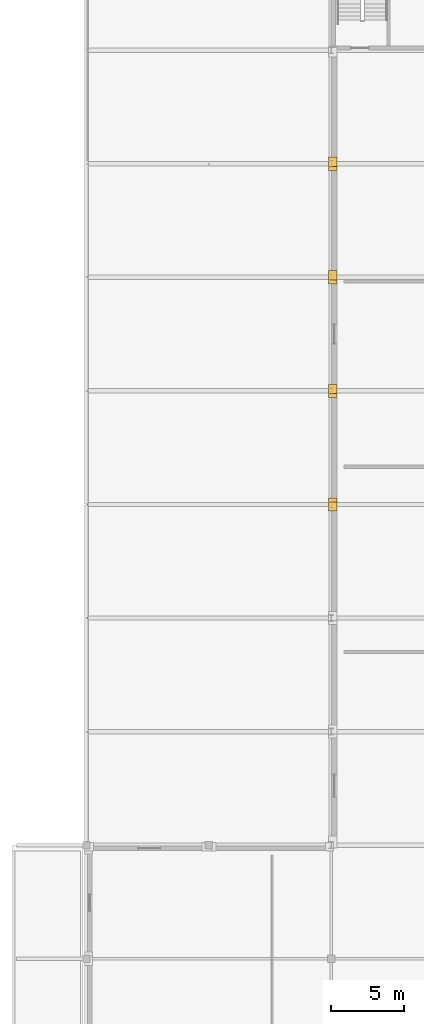
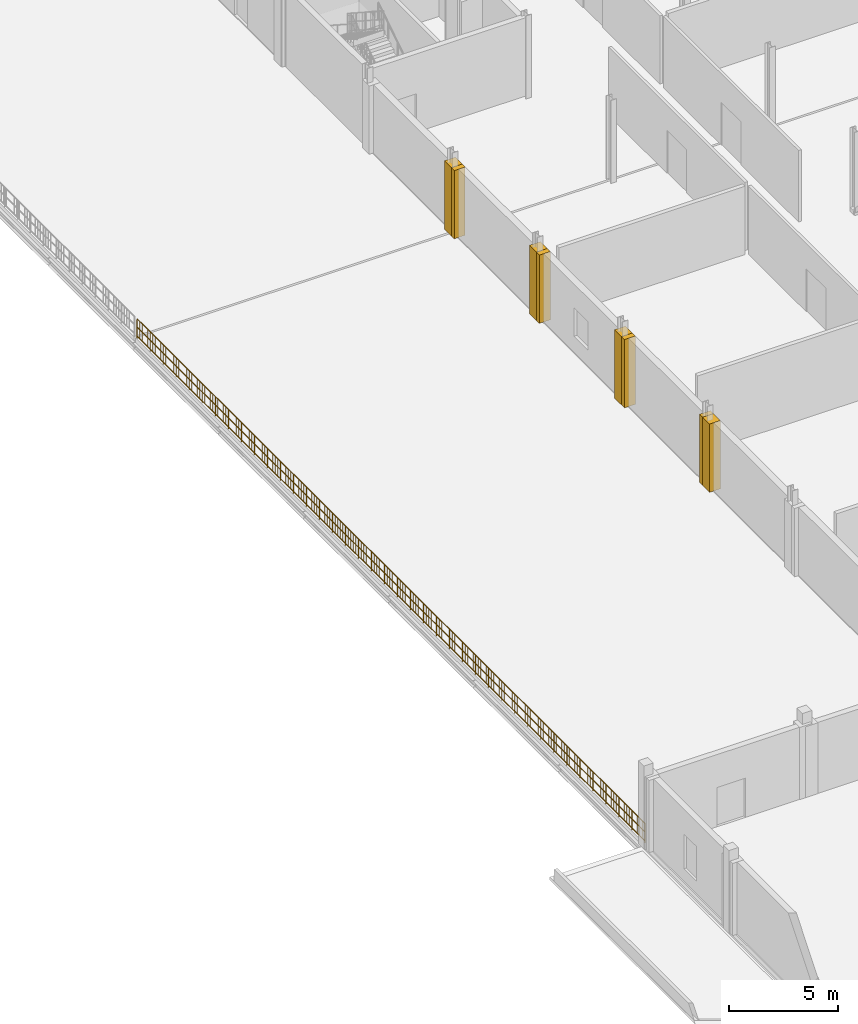
# One storey, part 91 of 98: 8 coverings, 1 railing.
"""IFC4 building model written with IfcOpenShell, lengths in metres."""

from ifc_helpers import new_model, si_unit, direction, frame, origin, origin_2d, place, context, subcontext, project, spatial, polyline, circle, outline, extrude, material, layer, layer_set, type_object, element, save


model = new_model("IFC4")

# Units and contexts
model_context = context("Model", 3, precision=1e-05, world=origin(), true_north=direction((0.0, 1.0)))
body_context = subcontext(model_context, "Body", "Model", "MODEL_VIEW")
ifc_project = project(units=[si_unit("LENGTHUNIT", "METRE"), si_unit("AREAUNIT", "SQUARE_METRE"), si_unit("VOLUMEUNIT", "CUBIC_METRE"), si_unit("PLANEANGLEUNIT", "RADIAN"), si_unit("MASSUNIT", "GRAM", prefix="KILO")], contexts=[model_context])

# Site, building, storey
site_placement = place(None, origin())
site = spatial("IfcSite", under=ifc_project, at=site_placement, CompositionType="ELEMENT")
building_placement = place(site_placement, origin())
building = spatial("IfcBuilding", under=site, at=building_placement, Name="Nabrawat Pavilion Hospital", CompositionType="ELEMENT")
storey_placement = place(building_placement, frame((0.0, 0.0, 10.199951171875)))
storey = spatial("IfcBuildingStorey", under=building, at=storey_placement, Name="L02", CompositionType="ELEMENT", Elevation=10.199951171875)

# Coverings
ifc_material_1 = material(Name="Precast concrete C40/50", Category="concrete")
ifc_layer_1 = layer(ifc_material_1, 0.360107421875, Name="Precast concrete C40/50")
ifc_layer_set_1 = layer_set([ifc_layer_1], Name="Precast concrete C40/50")
covering_type = type_object("IfcCoveringType", Name="Architectural Precast Column-Jamb Closure Reveal", PredefinedType="CLADDING", material=ifc_layer_set_1)
covering_1_placement = place(storey_placement, origin())
element("IfcCovering", 1, at=covering_1_placement, inside=storey, type_object=covering_type, Name="L02 Precast Facade Column-Jamb Weatherseal Closure 0330", PredefinedType="CLADDING", context=body_context, shape_type="SweptSolid", body=[
    extrude(outline(polyline([(17.199951171875, 61.945068359375), (17.199951171875, 62.580078125), (16.6201171875, 62.580078125), (16.6201171875, 61.945068359375), (17.199951171875, 61.945068359375)])), origin(), (0.0, 0.0, 1.0), 3.820068359375),
])
covering_2_placement = place(storey_placement, origin())
element("IfcCovering", 2, at=covering_2_placement, inside=storey, type_object=covering_type, Name="L02 Precast Facade Column-Jamb Weatherseal Closure 0331", PredefinedType="CLADDING", context=body_context, shape_type="SweptSolid", body=[
    extrude(outline(polyline([(17.199951171875, 62.219970703125), (17.199951171875, 62.85498046875), (16.6201171875, 62.85498046875), (16.6201171875, 62.219970703125), (17.199951171875, 62.219970703125)])), origin(), (0.0, 0.0, 1.0), 3.820068359375),
])
covering_3_placement = place(storey_placement, origin())
element("IfcCovering", 3, at=covering_3_placement, inside=storey, type_object=covering_type, Name="L02 Precast Facade Column-Jamb Weatherseal Closure 0332", PredefinedType="CLADDING", context=body_context, shape_type="SweptSolid", body=[
    extrude(outline(polyline([(17.199951171875, 69.7451171875), (17.199951171875, 70.3798828125), (16.6201171875, 70.3798828125), (16.6201171875, 69.7451171875), (17.199951171875, 69.7451171875)])), origin(), (0.0, 0.0, 1.0), 3.820068359375),
])
covering_4_placement = place(storey_placement, origin())
element("IfcCovering", 4, at=covering_4_placement, inside=storey, type_object=covering_type, Name="L02 Precast Facade Column-Jamb Weatherseal Closure 0333", PredefinedType="CLADDING", context=body_context, shape_type="SweptSolid", body=[
    extrude(outline(polyline([(17.199951171875, 70.02001953125), (17.199951171875, 70.655029296875), (16.6201171875, 70.655029296875), (16.6201171875, 70.02001953125), (17.199951171875, 70.02001953125)])), origin(), (0.0, 0.0, 1.0), 3.820068359375),
])
covering_5_placement = place(storey_placement, origin())
element("IfcCovering", 5, at=covering_5_placement, inside=storey, type_object=covering_type, Name="L02 Precast Facade Column-Jamb Weatherseal Closure 0334", PredefinedType="CLADDING", context=body_context, shape_type="SweptSolid", body=[
    extrude(outline(polyline([(17.199951171875, 77.544921875), (17.199951171875, 78.179931640625), (16.6201171875, 78.179931640625), (16.6201171875, 77.544921875), (17.199951171875, 77.544921875)])), origin(), (0.0, 0.0, 1.0), 3.820068359375),
])
covering_6_placement = place(storey_placement, origin())
element("IfcCovering", 6, at=covering_6_placement, inside=storey, type_object=covering_type, Name="L02 Precast Facade Column-Jamb Weatherseal Closure 0335", PredefinedType="CLADDING", context=body_context, shape_type="SweptSolid", body=[
    extrude(outline(polyline([(17.199951171875, 77.820068359375), (17.199951171875, 78.455078125), (16.6201171875, 78.455078125), (16.6201171875, 77.820068359375), (17.199951171875, 77.820068359375)])), origin(), (0.0, 0.0, 1.0), 3.820068359375),
])
covering_7_placement = place(storey_placement, origin())
element("IfcCovering", 7, at=covering_7_placement, inside=storey, type_object=covering_type, Name="L02 Precast Facade Column-Jamb Weatherseal Closure 0336", PredefinedType="CLADDING", context=body_context, shape_type="SweptSolid", body=[
    extrude(outline(polyline([(17.199951171875, 85.344970703125), (17.199951171875, 85.97998046875), (16.6201171875, 85.97998046875), (16.6201171875, 85.344970703125), (17.199951171875, 85.344970703125)])), origin(), (0.0, 0.0, 1.0), 3.820068359375),
])
covering_8_placement = place(storey_placement, origin())
element("IfcCovering", 8, at=covering_8_placement, inside=storey, type_object=covering_type, Name="L02 Precast Facade Column-Jamb Weatherseal Closure 0337", PredefinedType="CLADDING", context=body_context, shape_type="SweptSolid", body=[
    extrude(outline(polyline([(17.199951171875, 85.6201171875), (17.199951171875, 86.2548828125), (16.6201171875, 86.2548828125), (16.6201171875, 85.6201171875), (17.199951171875, 85.6201171875)])), origin(), (0.0, 0.0, 1.0), 3.820068359375),
])

# Railing
ifc_material_2 = material(Name="Stainless Steel 316", Category="steel")
ifc_layer_2 = layer(ifc_material_2, 0.070068359375, Name="Stainless Steel 316")
ifc_layer_set_2 = layer_set([ifc_layer_2], Name="Stainless Steel 316")
railing_type = type_object("IfcRailingType", Name="Exterior Clinical Terrace Safety Guardrail 1100", PredefinedType="GUARDRAIL", material=ifc_layer_set_2)
railing_placement = place(storey_placement, frame((0.06005859375, 39.179931640625, 0.0)))
element("IfcRailing", 9, at=railing_placement, inside=storey, type_object=railing_type, Name="L02 Terrace Edge Safety Guardrail T_L02_SURG_WEST_S West", PredefinedType="GUARDRAIL", context=body_context, shape_type="SweptSolid", body=[
    extrude(circle(Radius=0.02392578125, at=origin_2d()), frame((0.0, 0.0, 1.076171875), z_axis=(0.0, 1.0, 0.0), x_axis=(-1.0, 0.0, 0.0)), (0.0, 0.0, 1.0), 46.56005859375),
    extrude(circle(Radius=0.02392578125, at=origin_2d()), frame((0.0, 0.0, 0.10009765625), z_axis=(0.0, 1.0, 0.0), x_axis=(-1.0, 0.0, 0.0)), (0.0, 0.0, 1.0), 46.56005859375),
    extrude(circle(Radius=0.02392578125, at=origin_2d()), frame((0.0, 0.0, 0.60498046875), z_axis=(0.0, 1.0, 0.0), x_axis=(-1.0, 0.0, 0.0)), (0.0, 0.0, 1.0), 46.56005859375),
    extrude(circle(Radius=0.008056640625, at=origin_2d()), frame((0.0, 0.23876953125, 0.10009765625)), (0.0, 0.0, 1.0), 0.951904296875),
    extrude(circle(Radius=0.008056640625, at=origin_2d()), frame((0.0, 0.4775390625, 0.10009765625)), (0.0, 0.0, 1.0), 0.951904296875),
    extrude(circle(Radius=0.008056640625, at=origin_2d()), frame((0.0, 0.71630859375, 0.10009765625)), (0.0, 0.0, 1.0), 0.951904296875),
    extrude(circle(Radius=0.008056640625, at=origin_2d()), frame((0.0, 0.955078125, 0.10009765625)), (0.0, 0.0, 1.0), 0.951904296875),
    extrude(circle(Radius=0.008056640625, at=origin_2d()), frame((0.0, 1.4326171875, 0.10009765625)), (0.0, 0.0, 1.0), 0.951904296875),
    extrude(circle(Radius=0.008056640625, at=origin_2d()), frame((0.0, 1.67138671875, 0.10009765625)), (0.0, 0.0, 1.0), 0.951904296875),
    extrude(circle(Radius=0.008056640625, at=origin_2d()), frame((0.0, 1.91015625, 0.10009765625)), (0.0, 0.0, 1.0), 0.951904296875),
    extrude(circle(Radius=0.008056640625, at=origin_2d()), frame((0.0, 2.14892578125, 0.10009765625)), (0.0, 0.0, 1.0), 0.951904296875),
    extrude(circle(Radius=0.008056640625, at=origin_2d()), frame((0.0, 2.62646484375, 0.10009765625)), (0.0, 0.0, 1.0), 0.951904296875),
    extrude(circle(Radius=0.008056640625, at=origin_2d()), frame((0.0, 2.865234375, 0.10009765625)), (0.0, 0.0, 1.0), 0.951904296875),
    extrude(circle(Radius=0.008056640625, at=origin_2d()), frame((0.0, 3.10400390625, 0.10009765625)), (0.0, 0.0, 1.0), 0.951904296875),
    extrude(circle(Radius=0.008056640625, at=origin_2d()), frame((0.0, 3.3427734375, 0.10009765625)), (0.0, 0.0, 1.0), 0.951904296875),
    extrude(circle(Radius=0.008056640625, at=origin_2d()), frame((0.0, 3.8203125, 0.10009765625)), (0.0, 0.0, 1.0), 0.951904296875),
    extrude(circle(Radius=0.008056640625, at=origin_2d()), frame((0.0, 4.05908203125, 0.10009765625)), (0.0, 0.0, 1.0), 0.951904296875),
    extrude(circle(Radius=0.008056640625, at=origin_2d()), frame((0.0, 4.2978515625, 0.10009765625)), (0.0, 0.0, 1.0), 0.951904296875),
    extrude(circle(Radius=0.008056640625, at=origin_2d()), frame((0.0, 4.53662109375, 0.10009765625)), (0.0, 0.0, 1.0), 0.951904296875),
    extrude(circle(Radius=0.008056640625, at=origin_2d()), frame((0.0, 5.01416015625, 0.10009765625)), (0.0, 0.0, 1.0), 0.951904296875),
    extrude(circle(Radius=0.008056640625, at=origin_2d()), frame((0.0, 5.2529296875, 0.10009765625)), (0.0, 0.0, 1.0), 0.951904296875),
    extrude(circle(Radius=0.008056640625, at=origin_2d()), frame((0.0, 5.49169921875, 0.10009765625)), (0.0, 0.0, 1.0), 0.951904296875),
    extrude(circle(Radius=0.008056640625, at=origin_2d()), frame((0.0, 5.73046875, 0.10009765625)), (0.0, 0.0, 1.0), 0.951904296875),
    extrude(circle(Radius=0.008056640625, at=origin_2d()), frame((0.0, 6.2080078125, 0.10009765625)), (0.0, 0.0, 1.0), 0.951904296875),
    extrude(circle(Radius=0.008056640625, at=origin_2d()), frame((0.0, 6.44677734375, 0.10009765625)), (0.0, 0.0, 1.0), 0.951904296875),
    extrude(circle(Radius=0.008056640625, at=origin_2d()), frame((0.0, 6.685546875, 0.10009765625)), (0.0, 0.0, 1.0), 0.951904296875),
    extrude(circle(Radius=0.008056640625, at=origin_2d()), frame((0.0, 6.92431640625, 0.10009765625)), (0.0, 0.0, 1.0), 0.951904296875),
    extrude(circle(Radius=0.008056640625, at=origin_2d()), frame((0.0, 7.40185546875, 0.10009765625)), (0.0, 0.0, 1.0), 0.951904296875),
    extrude(circle(Radius=0.008056640625, at=origin_2d()), frame((0.0, 7.640625, 0.10009765625)), (0.0, 0.0, 1.0), 0.951904296875),
    extrude(circle(Radius=0.008056640625, at=origin_2d()), frame((0.0, 7.87939453125, 0.10009765625)), (0.0, 0.0, 1.0), 0.951904296875),
    extrude(circle(Radius=0.008056640625, at=origin_2d()), frame((0.0, 8.1181640625, 0.10009765625)), (0.0, 0.0, 1.0), 0.951904296875),
    extrude(circle(Radius=0.008056640625, at=origin_2d()), frame((0.0, 8.595703125, 0.10009765625)), (0.0, 0.0, 1.0), 0.951904296875),
    extrude(circle(Radius=0.008056640625, at=origin_2d()), frame((0.0, 8.83447265625, 0.10009765625)), (0.0, 0.0, 1.0), 0.951904296875),
    extrude(circle(Radius=0.008056640625, at=origin_2d()), frame((0.0, 9.0732421875, 0.10009765625)), (0.0, 0.0, 1.0), 0.951904296875),
    extrude(circle(Radius=0.008056640625, at=origin_2d()), frame((0.0, 9.31201171875, 0.10009765625)), (0.0, 0.0, 1.0), 0.951904296875),
    extrude(circle(Radius=0.008056640625, at=origin_2d()), frame((0.0, 9.78955078125, 0.10009765625)), (0.0, 0.0, 1.0), 0.951904296875),
    extrude(circle(Radius=0.008056640625, at=origin_2d()), frame((0.0, 10.0283203125, 0.10009765625)), (0.0, 0.0, 1.0), 0.951904296875),
    extrude(circle(Radius=0.008056640625, at=origin_2d()), frame((0.0, 10.26708984375, 0.10009765625)), (0.0, 0.0, 1.0), 0.951904296875),
    extrude(circle(Radius=0.008056640625, at=origin_2d()), frame((0.0, 10.505859375, 0.10009765625)), (0.0, 0.0, 1.0), 0.951904296875),
    extrude(circle(Radius=0.008056640625, at=origin_2d()), frame((0.0, 10.9833984375, 0.10009765625)), (0.0, 0.0, 1.0), 0.951904296875),
    extrude(circle(Radius=0.008056640625, at=origin_2d()), frame((0.0, 11.22216796875, 0.10009765625)), (0.0, 0.0, 1.0), 0.951904296875),
    extrude(circle(Radius=0.008056640625, at=origin_2d()), frame((0.0, 11.4609375, 0.10009765625)), (0.0, 0.0, 1.0), 0.951904296875),
    extrude(circle(Radius=0.008056640625, at=origin_2d()), frame((0.0, 11.69970703125, 0.10009765625)), (0.0, 0.0, 1.0), 0.951904296875),
    extrude(circle(Radius=0.008056640625, at=origin_2d()), frame((0.0, 12.17724609375, 0.10009765625)), (0.0, 0.0, 1.0), 0.951904296875),
    extrude(circle(Radius=0.008056640625, at=origin_2d()), frame((0.0, 12.416015625, 0.10009765625)), (0.0, 0.0, 1.0), 0.951904296875),
    extrude(circle(Radius=0.008056640625, at=origin_2d()), frame((0.0, 12.65478515625, 0.10009765625)), (0.0, 0.0, 1.0), 0.951904296875),
    extrude(circle(Radius=0.008056640625, at=origin_2d()), frame((0.0, 12.8935546875, 0.10009765625)), (0.0, 0.0, 1.0), 0.951904296875),
    extrude(circle(Radius=0.008056640625, at=origin_2d()), frame((0.0, 13.37109375, 0.10009765625)), (0.0, 0.0, 1.0), 0.951904296875),
    extrude(circle(Radius=0.008056640625, at=origin_2d()), frame((0.0, 13.60986328125, 0.10009765625)), (0.0, 0.0, 1.0), 0.951904296875),
    extrude(circle(Radius=0.008056640625, at=origin_2d()), frame((0.0, 13.8486328125, 0.10009765625)), (0.0, 0.0, 1.0), 0.951904296875),
    extrude(circle(Radius=0.008056640625, at=origin_2d()), frame((0.0, 14.08740234375, 0.10009765625)), (0.0, 0.0, 1.0), 0.951904296875),
    extrude(circle(Radius=0.008056640625, at=origin_2d()), frame((0.0, 14.56494140625, 0.10009765625)), (0.0, 0.0, 1.0), 0.951904296875),
    extrude(circle(Radius=0.008056640625, at=origin_2d()), frame((0.0, 14.8037109375, 0.10009765625)), (0.0, 0.0, 1.0), 0.951904296875),
    extrude(circle(Radius=0.008056640625, at=origin_2d()), frame((0.0, 15.04248046875, 0.10009765625)), (0.0, 0.0, 1.0), 0.951904296875),
    extrude(circle(Radius=0.008056640625, at=origin_2d()), frame((0.0, 15.28125, 0.10009765625)), (0.0, 0.0, 1.0), 0.951904296875),
    extrude(circle(Radius=0.008056640625, at=origin_2d()), frame((0.0, 15.7587890625, 0.10009765625)), (0.0, 0.0, 1.0), 0.951904296875),
    extrude(circle(Radius=0.008056640625, at=origin_2d()), frame((0.0, 15.99755859375, 0.10009765625)), (0.0, 0.0, 1.0), 0.951904296875),
    extrude(circle(Radius=0.008056640625, at=origin_2d()), frame((0.0, 16.236328125, 0.10009765625)), (0.0, 0.0, 1.0), 0.951904296875),
    extrude(circle(Radius=0.008056640625, at=origin_2d()), frame((0.0, 16.47509765625, 0.10009765625)), (0.0, 0.0, 1.0), 0.951904296875),
    extrude(circle(Radius=0.008056640625, at=origin_2d()), frame((0.0, 16.95263671875, 0.10009765625)), (0.0, 0.0, 1.0), 0.951904296875),
    extrude(circle(Radius=0.008056640625, at=origin_2d()), frame((0.0, 17.19140625, 0.10009765625)), (0.0, 0.0, 1.0), 0.951904296875),
    extrude(circle(Radius=0.008056640625, at=origin_2d()), frame((0.0, 17.43017578125, 0.10009765625)), (0.0, 0.0, 1.0), 0.951904296875),
    extrude(circle(Radius=0.008056640625, at=origin_2d()), frame((0.0, 17.6689453125, 0.10009765625)), (0.0, 0.0, 1.0), 0.951904296875),
    extrude(circle(Radius=0.008056640625, at=origin_2d()), frame((0.0, 18.146484375, 0.10009765625)), (0.0, 0.0, 1.0), 0.951904296875),
    extrude(circle(Radius=0.008056640625, at=origin_2d()), frame((0.0, 18.38525390625, 0.10009765625)), (0.0, 0.0, 1.0), 0.951904296875),
    extrude(circle(Radius=0.008056640625, at=origin_2d()), frame((0.0, 18.6240234375, 0.10009765625)), (0.0, 0.0, 1.0), 0.951904296875),
    extrude(circle(Radius=0.008056640625, at=origin_2d()), frame((0.0, 18.86279296875, 0.10009765625)), (0.0, 0.0, 1.0), 0.951904296875),
    extrude(circle(Radius=0.008056640625, at=origin_2d()), frame((0.0, 19.34033203125, 0.10009765625)), (0.0, 0.0, 1.0), 0.951904296875),
    extrude(circle(Radius=0.008056640625, at=origin_2d()), frame((0.0, 19.5791015625, 0.10009765625)), (0.0, 0.0, 1.0), 0.951904296875),
    extrude(circle(Radius=0.008056640625, at=origin_2d()), frame((0.0, 19.81787109375, 0.10009765625)), (0.0, 0.0, 1.0), 0.951904296875),
    extrude(circle(Radius=0.008056640625, at=origin_2d()), frame((0.0, 20.056640625, 0.10009765625)), (0.0, 0.0, 1.0), 0.951904296875),
    extrude(circle(Radius=0.008056640625, at=origin_2d()), frame((0.0, 20.5341796875, 0.10009765625)), (0.0, 0.0, 1.0), 0.951904296875),
    extrude(circle(Radius=0.008056640625, at=origin_2d()), frame((0.0, 20.77294921875, 0.10009765625)), (0.0, 0.0, 1.0), 0.951904296875),
    extrude(circle(Radius=0.008056640625, at=origin_2d()), frame((0.0, 21.01171875, 0.10009765625)), (0.0, 0.0, 1.0), 0.951904296875),
    extrude(circle(Radius=0.008056640625, at=origin_2d()), frame((0.0, 21.25048828125, 0.10009765625)), (0.0, 0.0, 1.0), 0.951904296875),
    extrude(circle(Radius=0.008056640625, at=origin_2d()), frame((0.0, 21.72802734375, 0.10009765625)), (0.0, 0.0, 1.0), 0.951904296875),
    extrude(circle(Radius=0.008056640625, at=origin_2d()), frame((0.0, 21.966796875, 0.10009765625)), (0.0, 0.0, 1.0), 0.951904296875),
    extrude(circle(Radius=0.008056640625, at=origin_2d()), frame((0.0, 22.20556640625, 0.10009765625)), (0.0, 0.0, 1.0), 0.951904296875),
    extrude(circle(Radius=0.008056640625, at=origin_2d()), frame((0.0, 22.4443359375, 0.10009765625)), (0.0, 0.0, 1.0), 0.951904296875),
    extrude(circle(Radius=0.008056640625, at=origin_2d()), frame((0.0, 22.921875, 0.10009765625)), (0.0, 0.0, 1.0), 0.951904296875),
    extrude(circle(Radius=0.008056640625, at=origin_2d()), frame((0.0, 23.16064453125, 0.10009765625)), (0.0, 0.0, 1.0), 0.951904296875),
    extrude(circle(Radius=0.008056640625, at=origin_2d()), frame((0.0, 23.3994140625, 0.10009765625)), (0.0, 0.0, 1.0), 0.951904296875),
    extrude(circle(Radius=0.008056640625, at=origin_2d()), frame((0.0, 23.63818359375, 0.10009765625)), (0.0, 0.0, 1.0), 0.951904296875),
    extrude(circle(Radius=0.008056640625, at=origin_2d()), frame((0.0, 24.11572265625, 0.10009765625)), (0.0, 0.0, 1.0), 0.951904296875),
    extrude(circle(Radius=0.008056640625, at=origin_2d()), frame((0.0, 24.3544921875, 0.10009765625)), (0.0, 0.0, 1.0), 0.951904296875),
    extrude(circle(Radius=0.008056640625, at=origin_2d()), frame((0.0, 24.59326171875, 0.10009765625)), (0.0, 0.0, 1.0), 0.951904296875),
    extrude(circle(Radius=0.008056640625, at=origin_2d()), frame((0.0, 24.83203125, 0.10009765625)), (0.0, 0.0, 1.0), 0.951904296875),
    extrude(circle(Radius=0.008056640625, at=origin_2d()), frame((0.0, 25.3095703125, 0.10009765625)), (0.0, 0.0, 1.0), 0.951904296875),
    extrude(circle(Radius=0.008056640625, at=origin_2d()), frame((0.0, 25.54833984375, 0.10009765625)), (0.0, 0.0, 1.0), 0.951904296875),
    extrude(circle(Radius=0.008056640625, at=origin_2d()), frame((0.0, 25.787109375, 0.10009765625)), (0.0, 0.0, 1.0), 0.951904296875),
    extrude(circle(Radius=0.008056640625, at=origin_2d()), frame((0.0, 26.02587890625, 0.10009765625)), (0.0, 0.0, 1.0), 0.951904296875),
    extrude(circle(Radius=0.008056640625, at=origin_2d()), frame((0.0, 26.50341796875, 0.10009765625)), (0.0, 0.0, 1.0), 0.951904296875),
    extrude(circle(Radius=0.008056640625, at=origin_2d()), frame((0.0, 26.7421875, 0.10009765625)), (0.0, 0.0, 1.0), 0.951904296875),
    extrude(circle(Radius=0.008056640625, at=origin_2d()), frame((0.0, 26.98095703125, 0.10009765625)), (0.0, 0.0, 1.0), 0.951904296875),
    extrude(circle(Radius=0.008056640625, at=origin_2d()), frame((0.0, 27.2197265625, 0.10009765625)), (0.0, 0.0, 1.0), 0.951904296875),
    extrude(circle(Radius=0.008056640625, at=origin_2d()), frame((0.0, 27.697265625, 0.10009765625)), (0.0, 0.0, 1.0), 0.951904296875),
    extrude(circle(Radius=0.008056640625, at=origin_2d()), frame((0.0, 27.93603515625, 0.10009765625)), (0.0, 0.0, 1.0), 0.951904296875),
    extrude(circle(Radius=0.008056640625, at=origin_2d()), frame((0.0, 28.1748046875, 0.10009765625)), (0.0, 0.0, 1.0), 0.951904296875),
    extrude(circle(Radius=0.008056640625, at=origin_2d()), frame((0.0, 28.41357421875, 0.10009765625)), (0.0, 0.0, 1.0), 0.951904296875),
    extrude(circle(Radius=0.008056640625, at=origin_2d()), frame((0.0, 28.89111328125, 0.10009765625)), (0.0, 0.0, 1.0), 0.951904296875),
    extrude(circle(Radius=0.008056640625, at=origin_2d()), frame((0.0, 29.1298828125, 0.10009765625)), (0.0, 0.0, 1.0), 0.951904296875),
    extrude(circle(Radius=0.008056640625, at=origin_2d()), frame((0.0, 29.36865234375, 0.10009765625)), (0.0, 0.0, 1.0), 0.951904296875),
    extrude(circle(Radius=0.008056640625, at=origin_2d()), frame((0.0, 29.607421875, 0.10009765625)), (0.0, 0.0, 1.0), 0.951904296875),
    extrude(circle(Radius=0.008056640625, at=origin_2d()), frame((0.0, 30.0849609375, 0.10009765625)), (0.0, 0.0, 1.0), 0.951904296875),
    extrude(circle(Radius=0.008056640625, at=origin_2d()), frame((0.0, 30.32373046875, 0.10009765625)), (0.0, 0.0, 1.0), 0.951904296875),
    extrude(circle(Radius=0.008056640625, at=origin_2d()), frame((0.0, 30.5625, 0.10009765625)), (0.0, 0.0, 1.0), 0.951904296875),
    extrude(circle(Radius=0.008056640625, at=origin_2d()), frame((0.0, 30.80126953125, 0.10009765625)), (0.0, 0.0, 1.0), 0.951904296875),
    extrude(circle(Radius=0.008056640625, at=origin_2d()), frame((0.0, 31.27880859375, 0.10009765625)), (0.0, 0.0, 1.0), 0.951904296875),
    extrude(circle(Radius=0.008056640625, at=origin_2d()), frame((0.0, 31.517578125, 0.10009765625)), (0.0, 0.0, 1.0), 0.951904296875),
    extrude(circle(Radius=0.008056640625, at=origin_2d()), frame((0.0, 31.75634765625, 0.10009765625)), (0.0, 0.0, 1.0), 0.951904296875),
    extrude(circle(Radius=0.008056640625, at=origin_2d()), frame((0.0, 31.9951171875, 0.10009765625)), (0.0, 0.0, 1.0), 0.951904296875),
    extrude(circle(Radius=0.008056640625, at=origin_2d()), frame((0.0, 32.47265625, 0.10009765625)), (0.0, 0.0, 1.0), 0.951904296875),
    extrude(circle(Radius=0.008056640625, at=origin_2d()), frame((0.0, 32.71142578125, 0.10009765625)), (0.0, 0.0, 1.0), 0.951904296875),
    extrude(circle(Radius=0.008056640625, at=origin_2d()), frame((0.0, 32.9501953125, 0.10009765625)), (0.0, 0.0, 1.0), 0.951904296875),
    extrude(circle(Radius=0.008056640625, at=origin_2d()), frame((0.0, 33.18896484375, 0.10009765625)), (0.0, 0.0, 1.0), 0.951904296875),
    extrude(circle(Radius=0.008056640625, at=origin_2d()), frame((0.0, 33.66650390625, 0.10009765625)), (0.0, 0.0, 1.0), 0.951904296875),
    extrude(circle(Radius=0.008056640625, at=origin_2d()), frame((0.0, 33.9052734375, 0.10009765625)), (0.0, 0.0, 1.0), 0.951904296875),
    extrude(circle(Radius=0.008056640625, at=origin_2d()), frame((0.0, 34.14404296875, 0.10009765625)), (0.0, 0.0, 1.0), 0.951904296875),
    extrude(circle(Radius=0.008056640625, at=origin_2d()), frame((0.0, 34.3828125, 0.10009765625)), (0.0, 0.0, 1.0), 0.951904296875),
    extrude(circle(Radius=0.008056640625, at=origin_2d()), frame((0.0, 34.8603515625, 0.10009765625)), (0.0, 0.0, 1.0), 0.951904296875),
    extrude(circle(Radius=0.008056640625, at=origin_2d()), frame((0.0, 35.09912109375, 0.10009765625)), (0.0, 0.0, 1.0), 0.951904296875),
    extrude(circle(Radius=0.008056640625, at=origin_2d()), frame((0.0, 35.337890625, 0.10009765625)), (0.0, 0.0, 1.0), 0.951904296875),
    extrude(circle(Radius=0.008056640625, at=origin_2d()), frame((0.0, 35.57666015625, 0.10009765625)), (0.0, 0.0, 1.0), 0.951904296875),
    extrude(circle(Radius=0.008056640625, at=origin_2d()), frame((0.0, 36.05419921875, 0.10009765625)), (0.0, 0.0, 1.0), 0.951904296875),
    extrude(circle(Radius=0.008056640625, at=origin_2d()), frame((0.0, 36.29296875, 0.10009765625)), (0.0, 0.0, 1.0), 0.951904296875),
    extrude(circle(Radius=0.008056640625, at=origin_2d()), frame((0.0, 36.53173828125, 0.10009765625)), (0.0, 0.0, 1.0), 0.951904296875),
    extrude(circle(Radius=0.008056640625, at=origin_2d()), frame((0.0, 36.7705078125, 0.10009765625)), (0.0, 0.0, 1.0), 0.951904296875),
    extrude(circle(Radius=0.008056640625, at=origin_2d()), frame((0.0, 37.248046875, 0.10009765625)), (0.0, 0.0, 1.0), 0.951904296875),
    extrude(circle(Radius=0.008056640625, at=origin_2d()), frame((0.0, 37.48681640625, 0.10009765625)), (0.0, 0.0, 1.0), 0.951904296875),
    extrude(circle(Radius=0.008056640625, at=origin_2d()), frame((0.0, 37.7255859375, 0.10009765625)), (0.0, 0.0, 1.0), 0.951904296875),
    extrude(circle(Radius=0.008056640625, at=origin_2d()), frame((0.0, 37.96435546875, 0.10009765625)), (0.0, 0.0, 1.0), 0.951904296875),
    extrude(circle(Radius=0.008056640625, at=origin_2d()), frame((0.0, 38.44189453125, 0.10009765625)), (0.0, 0.0, 1.0), 0.951904296875),
    extrude(circle(Radius=0.008056640625, at=origin_2d()), frame((0.0, 38.6806640625, 0.10009765625)), (0.0, 0.0, 1.0), 0.951904296875),
    extrude(circle(Radius=0.008056640625, at=origin_2d()), frame((0.0, 38.91943359375, 0.10009765625)), (0.0, 0.0, 1.0), 0.951904296875),
    extrude(circle(Radius=0.008056640625, at=origin_2d()), frame((0.0, 39.158203125, 0.10009765625)), (0.0, 0.0, 1.0), 0.951904296875),
    extrude(circle(Radius=0.008056640625, at=origin_2d()), frame((0.0, 39.6357421875, 0.10009765625)), (0.0, 0.0, 1.0), 0.951904296875),
    extrude(circle(Radius=0.008056640625, at=origin_2d()), frame((0.0, 39.87451171875, 0.10009765625)), (0.0, 0.0, 1.0), 0.951904296875),
    extrude(circle(Radius=0.008056640625, at=origin_2d()), frame((0.0, 40.11328125, 0.10009765625)), (0.0, 0.0, 1.0), 0.951904296875),
    extrude(circle(Radius=0.008056640625, at=origin_2d()), frame((0.0, 40.35205078125, 0.10009765625)), (0.0, 0.0, 1.0), 0.951904296875),
    extrude(circle(Radius=0.008056640625, at=origin_2d()), frame((0.0, 40.82958984375, 0.10009765625)), (0.0, 0.0, 1.0), 0.951904296875),
    extrude(circle(Radius=0.008056640625, at=origin_2d()), frame((0.0, 41.068359375, 0.10009765625)), (0.0, 0.0, 1.0), 0.951904296875),
    extrude(circle(Radius=0.008056640625, at=origin_2d()), frame((0.0, 41.30712890625, 0.10009765625)), (0.0, 0.0, 1.0), 0.951904296875),
    extrude(circle(Radius=0.008056640625, at=origin_2d()), frame((0.0, 41.5458984375, 0.10009765625)), (0.0, 0.0, 1.0), 0.951904296875),
    extrude(circle(Radius=0.008056640625, at=origin_2d()), frame((0.0, 42.0234375, 0.10009765625)), (0.0, 0.0, 1.0), 0.951904296875),
    extrude(circle(Radius=0.008056640625, at=origin_2d()), frame((0.0, 42.26220703125, 0.10009765625)), (0.0, 0.0, 1.0), 0.951904296875),
    extrude(circle(Radius=0.008056640625, at=origin_2d()), frame((0.0, 42.5009765625, 0.10009765625)), (0.0, 0.0, 1.0), 0.951904296875),
    extrude(circle(Radius=0.008056640625, at=origin_2d()), frame((0.0, 42.73974609375, 0.10009765625)), (0.0, 0.0, 1.0), 0.951904296875),
    extrude(circle(Radius=0.008056640625, at=origin_2d()), frame((0.0, 43.21728515625, 0.10009765625)), (0.0, 0.0, 1.0), 0.951904296875),
    extrude(circle(Radius=0.008056640625, at=origin_2d()), frame((0.0, 43.4560546875, 0.10009765625)), (0.0, 0.0, 1.0), 0.951904296875),
    extrude(circle(Radius=0.008056640625, at=origin_2d()), frame((0.0, 43.69482421875, 0.10009765625)), (0.0, 0.0, 1.0), 0.951904296875),
    extrude(circle(Radius=0.008056640625, at=origin_2d()), frame((0.0, 43.93359375, 0.10009765625)), (0.0, 0.0, 1.0), 0.951904296875),
    extrude(circle(Radius=0.008056640625, at=origin_2d()), frame((0.0, 44.4111328125, 0.10009765625)), (0.0, 0.0, 1.0), 0.951904296875),
    extrude(circle(Radius=0.008056640625, at=origin_2d()), frame((0.0, 44.64990234375, 0.10009765625)), (0.0, 0.0, 1.0), 0.951904296875),
    extrude(circle(Radius=0.008056640625, at=origin_2d()), frame((0.0, 44.888671875, 0.10009765625)), (0.0, 0.0, 1.0), 0.951904296875),
    extrude(circle(Radius=0.008056640625, at=origin_2d()), frame((0.0, 45.12744140625, 0.10009765625)), (0.0, 0.0, 1.0), 0.951904296875),
    extrude(circle(Radius=0.008056640625, at=origin_2d()), frame((0.0, 45.60498046875, 0.10009765625)), (0.0, 0.0, 1.0), 0.951904296875),
    extrude(circle(Radius=0.008056640625, at=origin_2d()), frame((0.0, 45.84375, 0.10009765625)), (0.0, 0.0, 1.0), 0.951904296875),
    extrude(circle(Radius=0.008056640625, at=origin_2d()), frame((0.0, 46.08251953125, 0.10009765625)), (0.0, 0.0, 1.0), 0.951904296875),
    extrude(circle(Radius=0.008056640625, at=origin_2d()), frame((0.0, 46.3212890625, 0.10009765625)), (0.0, 0.0, 1.0), 0.951904296875),
    extrude(circle(Radius=0.02099609375, at=origin_2d()), origin(), (0.0, 0.0, 1.0), 1.052001953125),
    extrude(circle(Radius=0.02099609375, at=origin_2d()), frame((0.0, 1.19384765625, 0.0)), (0.0, 0.0, 1.0), 1.052001953125),
    extrude(circle(Radius=0.02099609375, at=origin_2d()), frame((0.0, 2.3876953125, 0.0)), (0.0, 0.0, 1.0), 1.052001953125),
    extrude(circle(Radius=0.02099609375, at=origin_2d()), frame((0.0, 3.58154296875, 0.0)), (0.0, 0.0, 1.0), 1.052001953125),
    extrude(circle(Radius=0.02099609375, at=origin_2d()), frame((0.0, 4.775390625, 0.0)), (0.0, 0.0, 1.0), 1.052001953125),
    extrude(circle(Radius=0.02099609375, at=origin_2d()), frame((0.0, 5.96923828125, 0.0)), (0.0, 0.0, 1.0), 1.052001953125),
    extrude(circle(Radius=0.02099609375, at=origin_2d()), frame((0.0, 7.1630859375, 0.0)), (0.0, 0.0, 1.0), 1.052001953125),
    extrude(circle(Radius=0.02099609375, at=origin_2d()), frame((0.0, 8.35693359375, 0.0)), (0.0, 0.0, 1.0), 1.052001953125),
    extrude(circle(Radius=0.02099609375, at=origin_2d()), frame((0.0, 9.55078125, 0.0)), (0.0, 0.0, 1.0), 1.052001953125),
    extrude(circle(Radius=0.02099609375, at=origin_2d()), frame((0.0, 10.74462890625, 0.0)), (0.0, 0.0, 1.0), 1.052001953125),
    extrude(circle(Radius=0.02099609375, at=origin_2d()), frame((0.0, 11.9384765625, 0.0)), (0.0, 0.0, 1.0), 1.052001953125),
    extrude(circle(Radius=0.02099609375, at=origin_2d()), frame((0.0, 13.13232421875, 0.0)), (0.0, 0.0, 1.0), 1.052001953125),
    extrude(circle(Radius=0.02099609375, at=origin_2d()), frame((0.0, 14.326171875, 0.0)), (0.0, 0.0, 1.0), 1.052001953125),
    extrude(circle(Radius=0.02099609375, at=origin_2d()), frame((0.0, 15.52001953125, 0.0)), (0.0, 0.0, 1.0), 1.052001953125),
    extrude(circle(Radius=0.02099609375, at=origin_2d()), frame((0.0, 16.7138671875, 0.0)), (0.0, 0.0, 1.0), 1.052001953125),
    extrude(circle(Radius=0.02099609375, at=origin_2d()), frame((0.0, 17.90771484375, 0.0)), (0.0, 0.0, 1.0), 1.052001953125),
    extrude(circle(Radius=0.02099609375, at=origin_2d()), frame((0.0, 19.1015625, 0.0)), (0.0, 0.0, 1.0), 1.052001953125),
    extrude(circle(Radius=0.02099609375, at=origin_2d()), frame((0.0, 20.29541015625, 0.0)), (0.0, 0.0, 1.0), 1.052001953125),
    extrude(circle(Radius=0.02099609375, at=origin_2d()), frame((0.0, 21.4892578125, 0.0)), (0.0, 0.0, 1.0), 1.052001953125),
    extrude(circle(Radius=0.02099609375, at=origin_2d()), frame((0.0, 22.68310546875, 0.0)), (0.0, 0.0, 1.0), 1.052001953125),
    extrude(circle(Radius=0.02099609375, at=origin_2d()), frame((0.0, 23.876953125, 0.0)), (0.0, 0.0, 1.0), 1.052001953125),
    extrude(circle(Radius=0.02099609375, at=origin_2d()), frame((0.0, 25.07080078125, 0.0)), (0.0, 0.0, 1.0), 1.052001953125),
    extrude(circle(Radius=0.02099609375, at=origin_2d()), frame((0.0, 26.2646484375, 0.0)), (0.0, 0.0, 1.0), 1.052001953125),
    extrude(circle(Radius=0.02099609375, at=origin_2d()), frame((0.0, 27.45849609375, 0.0)), (0.0, 0.0, 1.0), 1.052001953125),
    extrude(circle(Radius=0.02099609375, at=origin_2d()), frame((0.0, 28.65234375, 0.0)), (0.0, 0.0, 1.0), 1.052001953125),
    extrude(circle(Radius=0.02099609375, at=origin_2d()), frame((0.0, 29.84619140625, 0.0)), (0.0, 0.0, 1.0), 1.052001953125),
    extrude(circle(Radius=0.02099609375, at=origin_2d()), frame((0.0, 31.0400390625, 0.0)), (0.0, 0.0, 1.0), 1.052001953125),
    extrude(circle(Radius=0.02099609375, at=origin_2d()), frame((0.0, 32.23388671875, 0.0)), (0.0, 0.0, 1.0), 1.052001953125),
    extrude(circle(Radius=0.02099609375, at=origin_2d()), frame((0.0, 33.427734375, 0.0)), (0.0, 0.0, 1.0), 1.052001953125),
    extrude(circle(Radius=0.02099609375, at=origin_2d()), frame((0.0, 34.62158203125, 0.0)), (0.0, 0.0, 1.0), 1.052001953125),
    extrude(circle(Radius=0.02099609375, at=origin_2d()), frame((0.0, 35.8154296875, 0.0)), (0.0, 0.0, 1.0), 1.052001953125),
    extrude(circle(Radius=0.02099609375, at=origin_2d()), frame((0.0, 37.00927734375, 0.0)), (0.0, 0.0, 1.0), 1.052001953125),
    extrude(circle(Radius=0.02099609375, at=origin_2d()), frame((0.0, 38.203125, 0.0)), (0.0, 0.0, 1.0), 1.052001953125),
    extrude(circle(Radius=0.02099609375, at=origin_2d()), frame((0.0, 39.39697265625, 0.0)), (0.0, 0.0, 1.0), 1.052001953125),
    extrude(circle(Radius=0.02099609375, at=origin_2d()), frame((0.0, 40.5908203125, 0.0)), (0.0, 0.0, 1.0), 1.052001953125),
    extrude(circle(Radius=0.02099609375, at=origin_2d()), frame((0.0, 41.78466796875, 0.0)), (0.0, 0.0, 1.0), 1.052001953125),
    extrude(circle(Radius=0.02099609375, at=origin_2d()), frame((0.0, 42.978515625, 0.0)), (0.0, 0.0, 1.0), 1.052001953125),
    extrude(circle(Radius=0.02099609375, at=origin_2d()), frame((0.0, 44.17236328125, 0.0)), (0.0, 0.0, 1.0), 1.052001953125),
    extrude(circle(Radius=0.02099609375, at=origin_2d()), frame((0.0, 45.3662109375, 0.0)), (0.0, 0.0, 1.0), 1.052001953125),
    extrude(circle(Radius=0.02099609375, at=origin_2d()), frame((0.0, 46.56005859375, 0.0)), (0.0, 0.0, 1.0), 1.052001953125),
])

save(model, "model.ifc")
